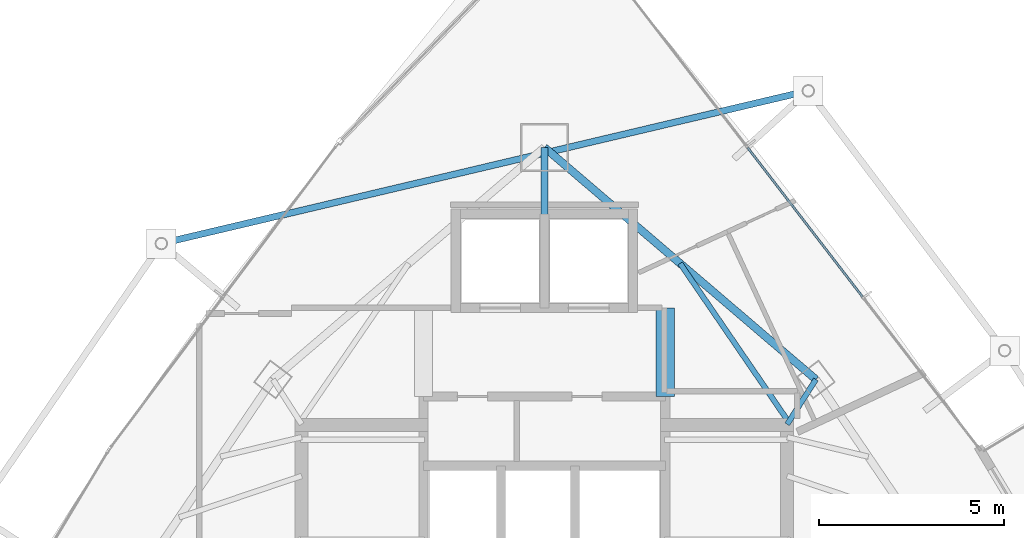
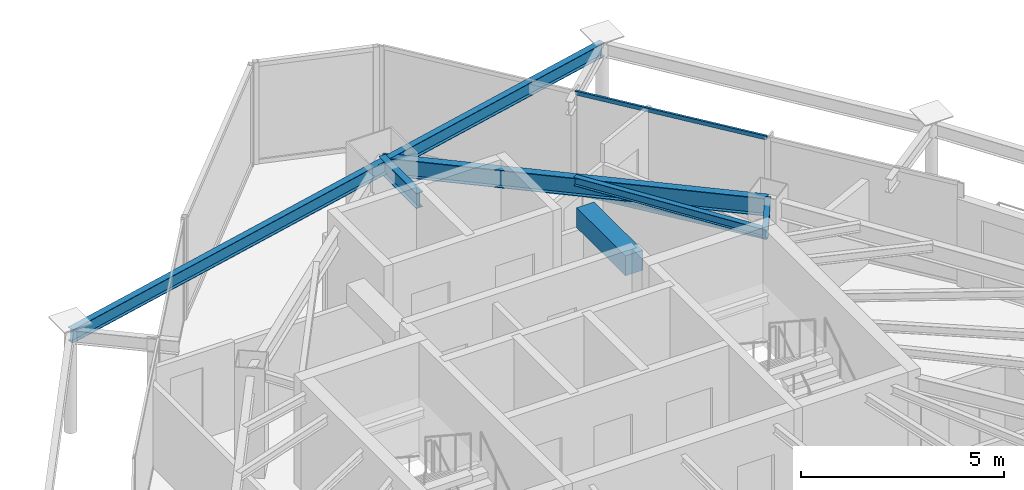
# One storey, part 25 of 34: 6 beams, 2 members, 1 element without a shape of its own.
"""IFC4 building model written with IfcOpenShell, lengths in metres."""

from ifc_helpers import new_model, si_unit, direction, frame, origin, origin_2d, place, context, subcontext, project, spatial, rectangle, hollow_rectangle, i_section, extrude, material, layer, layer_set, material_profile, profile_set, type_object, element, aggregate, save


model = new_model("IFC4")

# Units and contexts
model_context = context("Model", 3, precision=1e-05, world=origin(), true_north=direction((0.0, 1.0)))
body_context = subcontext(model_context, "Body", "Model", "MODEL_VIEW")
ifc_project = project(units=[si_unit("LENGTHUNIT", "METRE"), si_unit("AREAUNIT", "SQUARE_METRE"), si_unit("VOLUMEUNIT", "CUBIC_METRE"), si_unit("PLANEANGLEUNIT", "RADIAN"), si_unit("MASSUNIT", "GRAM", prefix="KILO")], contexts=[model_context])

# Site, building, storey
site_placement = place(None, origin())
site = spatial("IfcSite", under=ifc_project, at=site_placement, CompositionType="ELEMENT")
building_placement = place(site_placement, origin())
building = spatial("IfcBuilding", under=site, at=building_placement, Name="Orvanel Arch Residences", CompositionType="ELEMENT")
storey_placement = place(building_placement, frame((0.0, 0.0, 203.0)))
storey = spatial("IfcBuildingStorey", under=building, at=storey_placement, Name="L57", CompositionType="ELEMENT", Elevation=203.0)

# Beams
ifc_material_1 = material(Name="Structural steel AS/NZS 3679.1 Grade 300 (300 MPa)", Category="steel")
ifc_material_profile_1 = material_profile(ifc_material_1, i_section(OverallWidth=0.19091796875, OverallDepth=0.4599609375, WebThickness=0.010009765625, FlangeThickness=0.01611328125, at=origin_2d()), Name="460UB82.1")
ifc_profile_set_1 = profile_set([ifc_material_profile_1], Name="Structural steel AS/NZS 3679.1 Grade 300 (300 MPa)")
beam_type_1 = type_object("IfcBeamType", Name="BG-460UB", PredefinedType="BEAM", material=ifc_profile_set_1)
beam_1_placement = place(storey_placement, frame((33.0, 39.550048828125, 2.830078125), z_axis=(0.0, 1.0, 0.0), x_axis=(-1.0, 0.0, 0.0)))
element("IfcBeam", 1, at=beam_1_placement, inside=storey, type_object=beam_type_1, Name="L57 North Radial Girder", PredefinedType="BEAM", context=body_context, shape_type="SweptSolid", body=[
    extrude(i_section(OverallWidth=0.19091796875, OverallDepth=0.4599609375, WebThickness=0.010009765625, FlangeThickness=0.01611328125, at=origin_2d()), origin(), (0.0, 0.0, 1.0), 1.847900390625),
])
ifc_material_profile_2 = material_profile(ifc_material_1, i_section(OverallWidth=0.14599609375, OverallDepth=0.251953125, WebThickness=0.006103515625, FlangeThickness=0.008544921875, at=origin_2d()), Name="250UB31.4")
ifc_profile_set_2 = profile_set([ifc_material_profile_2], Name="Structural steel AS/NZS 3679.1 Grade 300 (300 MPa)")
beam_type_2 = type_object("IfcBeamType", Name="BJ-250UB", PredefinedType="JOIST", material=ifc_profile_set_2)
beam_2_placement = place(storey_placement, frame((39.574951171875, 33.89990234375, 2.93408203125), z_axis=(0.539395075146, 0.842052820735, 0.0), x_axis=(-0.842052820735, 0.539395075146, 0.0)))
element("IfcBeam", 2, at=beam_2_placement, inside=storey, type_object=beam_type_2, Name="L57 NNE Wing Floor Joist", PredefinedType="JOIST", context=body_context, shape_type="SweptSolid", body=[
    extrude(i_section(OverallWidth=0.14599609375, OverallDepth=0.251953125, WebThickness=0.006103515625, FlangeThickness=0.008544921875, at=origin_2d()), origin(), (0.0, 0.0, 1.0), 1.440673828125),
])
beam_3_placement = place(storey_placement, frame((39.574951171875, 34.02001953125, 2.93408203125), z_axis=(-0.564868085352, 0.825181220188, 0.0), x_axis=(-0.825181220188, -0.564868085352, 0.0)))
element("IfcBeam", 3, at=beam_3_placement, inside=storey, type_object=beam_type_2, Name="L57 NNE2 Wing Floor Joist", PredefinedType="JOIST", context=body_context, shape_type="SweptSolid", body=[
    extrude(i_section(OverallWidth=0.14599609375, OverallDepth=0.251953125, WebThickness=0.006103515625, FlangeThickness=0.008544921875, at=origin_2d()), origin(), (0.0, 0.0, 1.0), 5.132080078125),
])
ifc_material_2 = material(Name="Concrete S65 (65 MPa)", Category="concrete")
ifc_material_profile_3 = material_profile(ifc_material_2, rectangle(XDim=0.5, YDim=0.60009765625, at=origin_2d()), Name="RC500x600")
ifc_profile_set_3 = profile_set([ifc_material_profile_3], Name="Concrete S65 (65 MPa)")
beam_type_3 = type_object("IfcBeamType", Name="CB-500x600", PredefinedType="LINTEL", material=ifc_profile_set_3)
beam_4_placement = place(storey_placement, frame((36.27490234375, 34.64990234375, 2.760009765625), z_axis=(0.0, 1.0, 0.0), x_axis=(-1.0, 0.0, 0.0)))
element("IfcBeam", 4, at=beam_4_placement, inside=storey, type_object=beam_type_3, Name="L57 East Core Lobby Coupling Lintel Beam", PredefinedType="LINTEL", context=body_context, shape_type="SweptSolid", body=[
    extrude(rectangle(XDim=0.5, YDim=0.60009765625, at=origin_2d()), origin(), (0.0, 0.0, 1.0), 2.400146484375),
])
ifc_material_profile_4 = material_profile(ifc_material_1, i_section(OverallWidth=0.177978515625, OverallDepth=0.406005859375, WebThickness=0.0078125, FlangeThickness=0.0126953125, at=origin_2d()), Name="410UB59.7")
ifc_profile_set_4 = profile_set([ifc_material_profile_4], Name="Structural steel AS/NZS 3679.1 Grade 300 (300 MPa)")
beam_type_4 = type_object("IfcBeamType", Name="OB-410UB-EXT", PredefinedType="SPANDREL", material=ifc_profile_set_4)
beam_5_placement = place(storey_placement, frame((40.14697265625, 42.930908203125, 2.85693359375), z_axis=(-0.973256699632, -0.229720257314, 0.0), x_axis=(0.229720257314, -0.973256699632, 0.0)))
element("IfcBeam", 5, at=beam_5_placement, inside=storey, type_object=beam_type_4, Name="L57 Outer Perimeter Floor Ring Beam 12", PredefinedType="SPANDREL", context=body_context, shape_type="SweptSolid", body=[
    extrude(i_section(OverallWidth=0.177978515625, OverallDepth=0.406005859375, WebThickness=0.0078125, FlangeThickness=0.0126953125, at=origin_2d()), origin(), (0.0, 0.0, 1.0), 18.00439453125),
])
ifc_material_profile_5 = material_profile(ifc_material_1, i_section(OverallWidth=0.208984375, OverallDepth=0.532958984375, WebThickness=0.01025390625, FlangeThickness=0.015625, at=origin_2d()), Name="530UB92.4")
ifc_profile_set_5 = profile_set([ifc_material_profile_5], Name="Structural steel AS/NZS 3679.1 Grade 300 (300 MPa)")
beam_type_5 = type_object("IfcBeamType", Name="SP-530UB", PredefinedType="SPANDREL", material=ifc_profile_set_5)
beam_6_placement = place(storey_placement, frame((40.35205078125, 35.113037109375, 2.79296875), z_axis=(-0.760116518398, 0.649786794617, 0.0), x_axis=(-0.649786794617, -0.760116518398, 0.0)))
element("IfcBeam", 6, at=beam_6_placement, inside=storey, type_object=beam_type_5, Name="L57 Perimeter Spandrel Beam 09", PredefinedType="SPANDREL", context=body_context, shape_type="SweptSolid", body=[
    extrude(i_section(OverallWidth=0.208984375, OverallDepth=0.532958984375, WebThickness=0.01025390625, FlangeThickness=0.015625, at=origin_2d()), origin(), (0.0, 0.0, 1.0), 9.67236328125),
])

# Curtain wall, members
ifc_material_3 = material(Name="Bronze-anodised aluminium AA6063-T6", Category="aluminium")
ifc_layer = layer(ifc_material_3, 0.175048828125)
ifc_layer_set = layer_set([ifc_layer], Name="Bronze-anodised aluminium AA6063-T6")
curtain_wall_type = type_object("IfcCurtainWallType", Name="CW4-HI-SYS", PredefinedType="NOTDEFINED", material=ifc_layer_set)
curtain_wall_placement = place(storey_placement, origin())
curtain_wall = element("IfcCurtainWall", 7, at=curtain_wall_placement, inside=storey, type_object=curtain_wall_type, Name="L57 CW4-HI-SYS Unitised Curtain Wall", PredefinedType="NOTDEFINED")
ifc_material_profile_6 = material_profile(ifc_material_3, hollow_rectangle(XDim=0.06005859375, YDim=0.1201171875, WallThickness=0.00341796875, at=origin_2d()), Name="ALU120x60x3.5")
ifc_profile_set_6 = profile_set([ifc_material_profile_6], Name="Bronze-anodised aluminium AA6063-T6")
member_type = type_object("IfcMemberType", Name="TRN-120x60", PredefinedType="USERDEFINED", material=ifc_profile_set_6)
member_1_placement = place(storey_placement, frame((41.6162109375, 37.350341796875, 0.030029296875), z_axis=(-0.610152149317, 0.792284263811, 0.0), x_axis=(-0.792284263811, -0.610152149317, 0.0)))
member_1 = element("IfcMember", 8, at=member_1_placement, type_object=member_type, Name="CW-S4 transom 2.1", ObjectType="TRANSOM", PredefinedType="USERDEFINED", context=body_context, shape_type="SweptSolid", body=[
    extrude(hollow_rectangle(XDim=0.06005859375, YDim=0.1201171875, WallThickness=0.00341796875, at=origin_2d()), origin(), (0.0, 0.0, 1.0), 5.1044921875),
])
member_2_placement = place(storey_placement, frame((41.6162109375, 37.350341796875, 3.030029296875), z_axis=(-0.610152149317, 0.792284263811, 0.0), x_axis=(-0.792284263811, -0.610152149317, 0.0)))
member_2 = element("IfcMember", 9, at=member_2_placement, type_object=member_type, Name="CW-S4 transom 2.2", ObjectType="TRANSOM", PredefinedType="USERDEFINED", context=body_context, shape_type="SweptSolid", body=[
    extrude(hollow_rectangle(XDim=0.06005859375, YDim=0.1201171875, WallThickness=0.00341796875, at=origin_2d()), origin(), (0.0, 0.0, 1.0), 5.1044921875),
])
aggregate(curtain_wall, [member_1, member_2])

save(model, "model.ifc")
